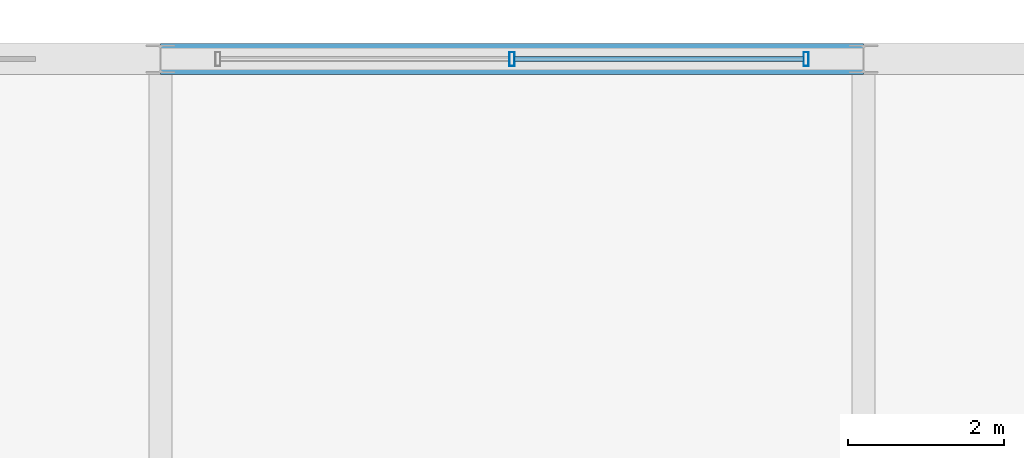
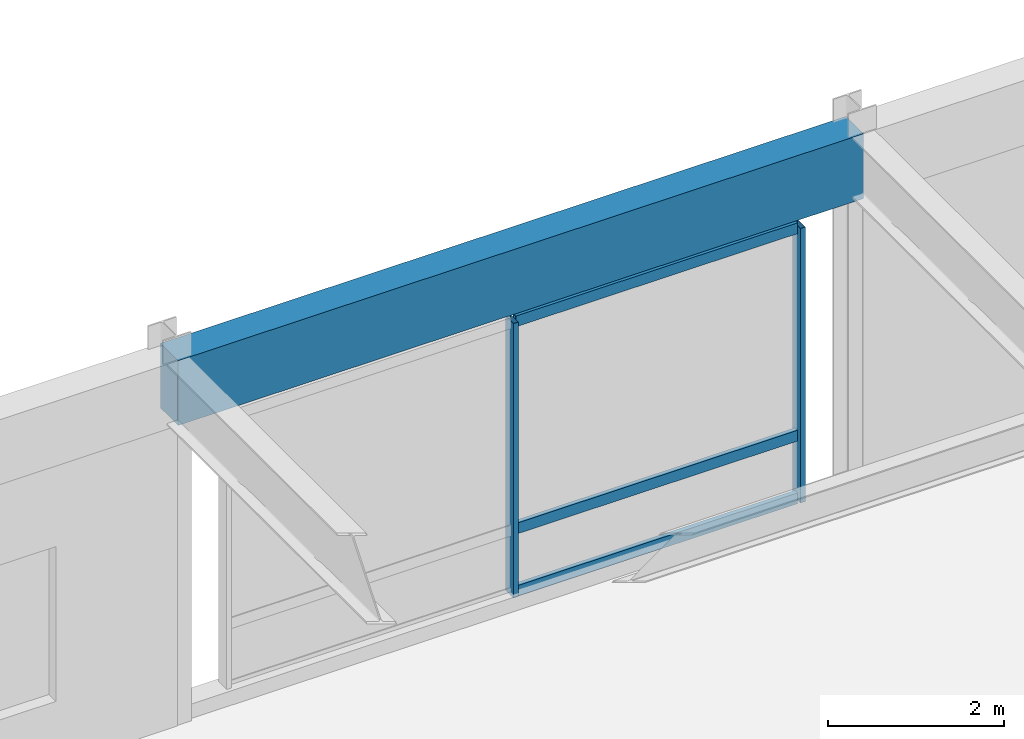
# One storey, part 73 of 100: 5 members, 1 beam, 1 element without a shape of its own.
"""IFC4 building model written with IfcOpenShell, lengths in metres."""

from ifc_helpers import new_model, si_unit, direction, frame, origin, origin_2d, place, context, subcontext, project, spatial, rectangle, hollow_rectangle, extrude, material, material_profile, profile_set, type_object, element, aggregate, save


model = new_model("IFC4")

# Units and contexts
model_context = context("Model", 3, precision=1e-05, world=origin(), true_north=direction((0.0, 1.0)))
body_context = subcontext(model_context, "Body", "Model", "MODEL_VIEW")
ifc_project = project(units=[si_unit("LENGTHUNIT", "METRE"), si_unit("AREAUNIT", "SQUARE_METRE"), si_unit("VOLUMEUNIT", "CUBIC_METRE"), si_unit("PLANEANGLEUNIT", "RADIAN"), si_unit("MASSUNIT", "GRAM", prefix="KILO")], contexts=[model_context])

# Site, building, storey
site_placement = place(None, origin())
site = spatial("IfcSite", under=ifc_project, at=site_placement, CompositionType="ELEMENT")
building_placement = place(site_placement, origin())
building = spatial("IfcBuilding", under=site, at=building_placement, Name="Kaldorvane Square Convention Centre", CompositionType="ELEMENT")
storey_placement = place(building_placement, frame((0.0, 0.0, 18.0)))
storey = spatial("IfcBuildingStorey", under=building, at=storey_placement, Name="L03", CompositionType="ELEMENT", Elevation=18.0)

# Beam
ifc_material_1 = material(Name="Concrete f'c = 42 MPa (Normalweight)", Category="concrete")
ifc_material_profile_1 = material_profile(ifc_material_1, rectangle(XDim=0.399993896484375, YDim=0.899993896484375, at=origin_2d()), Name="RCSP900X400")
ifc_profile_set_1 = profile_set([ifc_material_profile_1], Name="Concrete f'c = 42 MPa (Normalweight)")
beam_type = type_object("IfcBeamType", Name="BM-SP-RC900", PredefinedType="SPANDREL", material=ifc_profile_set_1)
beam_placement = place(storey_placement, frame((156.0, 117.0, 4.626007080078125), z_axis=(1.0, 0.0, 0.0), x_axis=(0.0, 1.0, 0.0)))
element("IfcBeam", 1, at=beam_placement, inside=storey, type_object=beam_type, Name="Perimeter Spandrel (L03)", PredefinedType="SPANDREL", context=body_context, shape_type="SweptSolid", body=[
    extrude(rectangle(XDim=0.399993896484375, YDim=0.899993896484375, at=origin_2d()), origin(), (0.0, 0.0, 1.0), 9.0),
])

# Curtain wall, members
ifc_material_2 = material(Name="Anodized Aluminum and Low-E Insulated Glazing", Category="aluminium")
curtain_wall_type = type_object("IfcCurtainWallType", Name="CW-UNI-P54-09", PredefinedType="USERDEFINED", material=ifc_material_2)
curtain_wall_placement = place(storey_placement, origin())
curtain_wall = element("IfcCurtainWall", 2, at=curtain_wall_placement, inside=storey, type_object=curtain_wall_type, Name="Curtain Wall CW-04 (L03)", ObjectType="UNITISED GLAZING", PredefinedType="USERDEFINED")
ifc_material_profile_2 = material_profile(ifc_material_2, hollow_rectangle(XDim=0.06500244140625, YDim=0.17999267578125, WallThickness=0.0034942626953125, at=origin_2d()), Name="CWM-180X65")
ifc_profile_set_2 = profile_set([ifc_material_profile_2], Name="Anodized Aluminum and Low-E Insulated Glazing")
member_type_1 = type_object("IfcMemberType", Name="CW-MUL-180", PredefinedType="MULLION", material=ifc_profile_set_2)
member_1_placement = place(storey_placement, frame((164.2675018310547, 117.0, 0.149993896484375), z_axis=(0.0, 0.0, 1.0), x_axis=(-1.0, 0.0, 0.0)))
member_1 = element("IfcMember", 3, at=member_1_placement, type_object=member_type_1, Name="CW-04 mullion 1", PredefinedType="MULLION", context=body_context, shape_type="SweptSolid", body=[
    extrude(hollow_rectangle(XDim=0.06500244140625, YDim=0.17999267578125, WallThickness=0.0034942626953125, at=origin_2d()), origin(), (0.0, 0.0, 1.0), 3.8100128173828125),
])
member_2_placement = place(storey_placement, frame((160.5, 117.0, 0.149993896484375), z_axis=(0.0, 0.0, 1.0), x_axis=(-1.0, 0.0, 0.0)))
member_2 = element("IfcMember", 4, at=member_2_placement, type_object=member_type_1, Name="CW-04 mullion 2", PredefinedType="MULLION", context=body_context, shape_type="SweptSolid", body=[
    extrude(hollow_rectangle(XDim=0.06500244140625, YDim=0.17999267578125, WallThickness=0.0034942626953125, at=origin_2d()), origin(), (0.0, 0.0, 1.0), 3.8100128173828125),
])
ifc_material_profile_3 = material_profile(ifc_material_2, hollow_rectangle(XDim=0.05999755859375, YDim=0.149993896484375, WallThickness=0.003204345703125, at=origin_2d()), Name="CWT-150X60")
ifc_profile_set_3 = profile_set([ifc_material_profile_3], Name="Anodized Aluminum and Low-E Insulated Glazing")
member_type_2 = type_object("IfcMemberType", Name="CW-TRN-150", PredefinedType="USERDEFINED", material=ifc_profile_set_3)
member_3_placement = place(storey_placement, frame((164.23500061035156, 117.0, 0.17999267578125), z_axis=(-1.0, 0.0, 0.0), x_axis=(0.0, -1.0, 0.0)))
member_3 = element("IfcMember", 5, at=member_3_placement, type_object=member_type_2, Name="CW-04 transom 1.1", ObjectType="TRANSOM", PredefinedType="USERDEFINED", context=body_context, shape_type="SweptSolid", body=[
    extrude(hollow_rectangle(XDim=0.05999755859375, YDim=0.149993896484375, WallThickness=0.003204345703125, at=origin_2d()), origin(), (0.0, 0.0, 1.0), 3.7024993896484375),
])
member_4_placement = place(storey_placement, frame((164.23500061035156, 117.0, 1.0500030517578125), z_axis=(-1.0, 0.0, 0.0), x_axis=(0.0, -1.0, 0.0)))
member_4 = element("IfcMember", 6, at=member_4_placement, type_object=member_type_2, Name="CW-04 transom 1.2", ObjectType="TRANSOM", PredefinedType="USERDEFINED", context=body_context, shape_type="SweptSolid", body=[
    extrude(hollow_rectangle(XDim=0.05999755859375, YDim=0.149993896484375, WallThickness=0.003204345703125, at=origin_2d()), origin(), (0.0, 0.0, 1.0), 3.7024993896484375),
])
member_5_placement = place(storey_placement, frame((164.23500061035156, 117.0, 3.92999267578125), z_axis=(-1.0, 0.0, 0.0), x_axis=(0.0, -1.0, 0.0)))
member_5 = element("IfcMember", 7, at=member_5_placement, type_object=member_type_2, Name="CW-04 transom 1.3", ObjectType="TRANSOM", PredefinedType="USERDEFINED", context=body_context, shape_type="SweptSolid", body=[
    extrude(hollow_rectangle(XDim=0.05999755859375, YDim=0.149993896484375, WallThickness=0.003204345703125, at=origin_2d()), origin(), (0.0, 0.0, 1.0), 3.7024993896484375),
])
aggregate(curtain_wall, [member_1, member_2, member_3, member_4, member_5])

save(model, "model.ifc")
